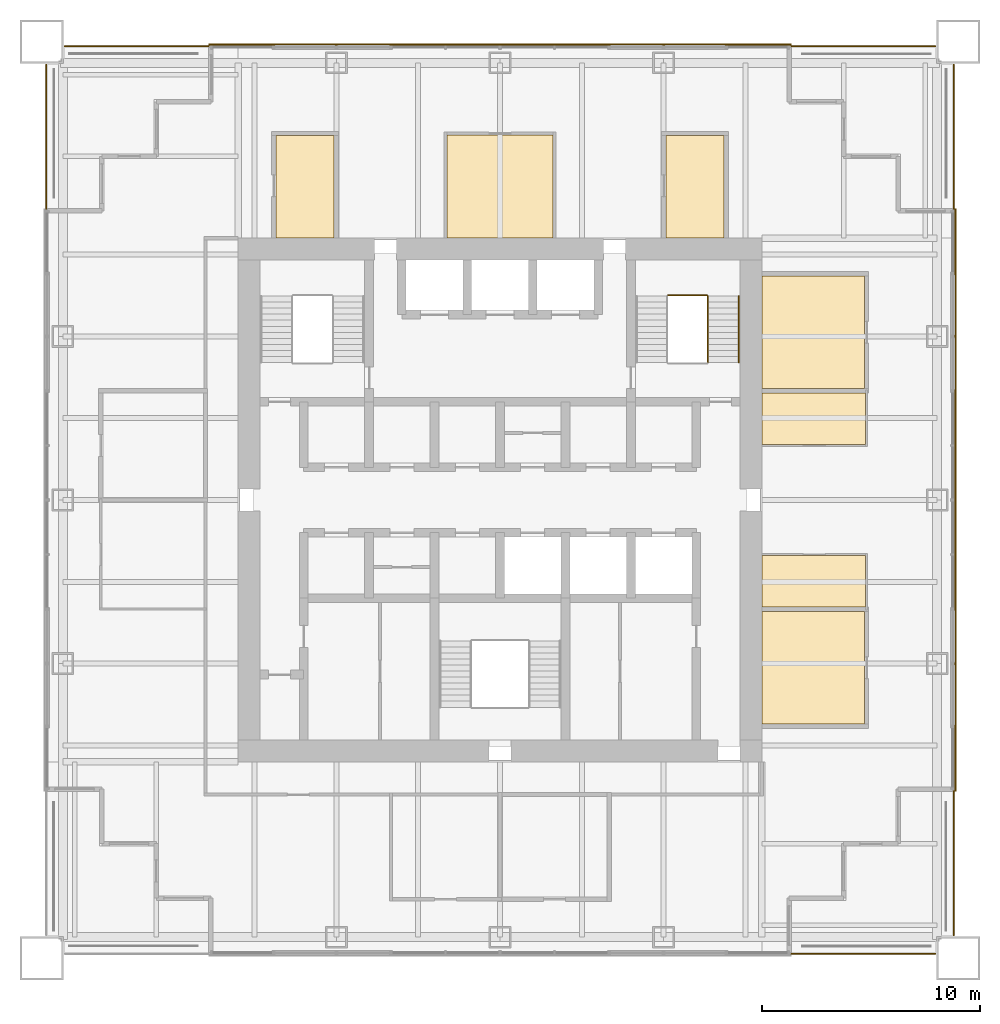
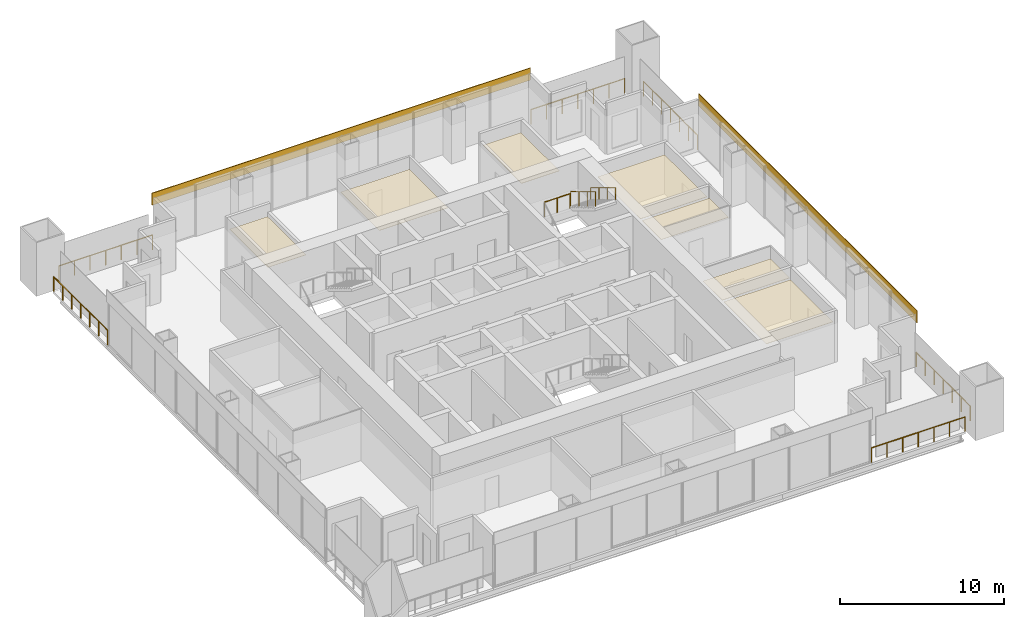
# One storey, part 14 of 14: 9 coverings, 9 railings.
"""IFC4 building model written with IfcOpenShell, lengths in metres."""

from ifc_helpers import new_model, si_unit, direction, frame, origin, origin_2d, place, context, subcontext, project, spatial, polyline, rectangle, circle, outline, extrude, material, layer, layer_set, type_object, element, save


model = new_model("IFC4")

# Units and contexts
model_context = context("Model", 3, precision=1e-05, world=origin(), true_north=direction((0.0, 1.0)))
body_context = subcontext(model_context, "Body", "Model", "MODEL_VIEW")
ifc_project = project(units=[si_unit("LENGTHUNIT", "METRE"), si_unit("AREAUNIT", "SQUARE_METRE"), si_unit("VOLUMEUNIT", "CUBIC_METRE"), si_unit("PLANEANGLEUNIT", "RADIAN"), si_unit("MASSUNIT", "GRAM", prefix="KILO")], contexts=[model_context])

# Site, building, storey
site_placement = place(None, origin())
site = spatial("IfcSite", under=ifc_project, at=site_placement, CompositionType="ELEMENT")
building_placement = place(site_placement, origin())
building = spatial("IfcBuilding", under=site, at=building_placement, Name="Tarangal Relay Tower", CompositionType="ELEMENT")
storey_placement = place(building_placement, frame((0.0, 0.0, 307.89990234375)))
storey = spatial("IfcBuildingStorey", under=building, at=storey_placement, Name="L68", CompositionType="ELEMENT", Elevation=307.89990234375)

# Coverings
ifc_material_1 = material(Name="Black anodised aluminium cladding", Category="aluminium")
ifc_layer_1 = layer(ifc_material_1, 0.050048828125)
ifc_layer_set_1 = layer_set([ifc_layer_1], Name="Black metal spandrel band")
covering_type_1 = type_object("IfcCoveringType", Name="Black metal spandrel band", PredefinedType="CLADDING", material=ifc_layer_set_1)
for number, where, z_axis, x_axis, name in (
    (1, (0.0, 20.875, 3.250244140625), (0.0, 0.0, 1.0), (1.0, 0.0, 0.0), "Spandrel band SB1 N L68"),
    (2, (20.875, 0.0, 3.250244140625), (0.0, 0.0, 1.0), (0.0, -1.0, 0.0), "Spandrel band SB1 E L68"),
):
    element("IfcCovering", number, at=place(storey_placement, frame(where, z_axis=z_axis, x_axis=x_axis)), inside=storey, type_object=covering_type_1, Name=name, PredefinedType="CLADDING", context=body_context, shape_type="SweptSolid", body=[
        extrude(rectangle(XDim=26.699951171875, YDim=0.050048828125, at=origin_2d()), origin(), (0.0, 0.0, 1.0), 0.89990234375),
    ])

# Railings
ifc_material_2 = material(Name="Steel guard, black finish", Category="steel")
railing_type_1 = type_object("IfcRailingType", Name="Stair guard 1100", PredefinedType="GUARDRAIL", material=ifc_material_2)
railing_1_placement = place(storey_placement, frame((9.530029296875, 9.346923828125, 2.166748046875)))
element("IfcRailing", 3, at=railing_1_placement, inside=storey, type_object=railing_type_1, Name="Stair ST-B guard GR1 L68 flight 2", PredefinedType="GUARDRAIL", context=body_context, shape_type="SweptSolid", body=[
    extrude(circle(Radius=0.02392578125, at=origin_2d()), frame((0.0, 0.0, 1.076171875), z_axis=(0.0, -0.85685617095, 0.515555527858), x_axis=(1.0, 0.0, 0.0)), (0.0, 0.0, 1.0), 3.555908203125),
    extrude(circle(Radius=0.02099609375, at=origin_2d()), origin(), (0.0, 0.0, 1.0), 1.052001953125),
    extrude(circle(Radius=0.02099609375, at=origin_2d()), frame((0.0, -1.015625, 0.611083984375)), (0.0, 0.0, 1.0), 1.052001953125),
    extrude(circle(Radius=0.02099609375, at=origin_2d()), frame((0.0, -2.03125, 1.22216796875)), (0.0, 0.0, 1.0), 1.052001953125),
    extrude(circle(Radius=0.02099609375, at=origin_2d()), frame((0.0, -3.046875, 1.833251953125)), (0.0, 0.0, 1.0), 1.052001953125),
])
railing_2_placement = place(storey_placement, frame((7.699951171875, 9.376953125, 2.0)))
element("IfcRailing", 4, at=railing_2_placement, inside=storey, type_object=railing_type_1, Name="Stair ST-B landing guard GR1 L68", PredefinedType="GUARDRAIL", context=body_context, shape_type="SweptSolid", body=[
    extrude(circle(Radius=0.02392578125, at=origin_2d()), frame((0.0, 0.0, 1.076171875), z_axis=(1.0, 0.0, 0.0), x_axis=(0.0, 1.0, 0.0)), (0.0, 0.0, 1.0), 1.800048828125),
    extrude(circle(Radius=0.02099609375, at=origin_2d()), origin(), (0.0, 0.0, 1.0), 1.052001953125),
    extrude(circle(Radius=0.02099609375, at=origin_2d()), frame((0.89990234375, 0.0, 0.0)), (0.0, 0.0, 1.0), 1.052001953125),
    extrude(circle(Radius=0.02099609375, at=origin_2d()), frame((1.800048828125, 0.0, 0.0)), (0.0, 0.0, 1.0), 1.052001953125),
])
ifc_material_3 = material(Name="Steel handrail, black finish", Category="steel")
railing_type_2 = type_object("IfcRailingType", Name="Stair handrail 900", PredefinedType="HANDRAIL", material=ifc_material_3)
railing_3_placement = place(storey_placement, frame((10.93994140625, 9.346923828125, 2.166748046875)))
element("IfcRailing", 5, at=railing_3_placement, inside=storey, type_object=railing_type_2, Name="Stair ST-B handrail HR1 L68 flight 2", PredefinedType="HANDRAIL", context=body_context, shape_type="SweptSolid", body=[
    extrude(circle(Radius=0.02392578125, at=origin_2d()), frame((0.0, 0.0, 0.8759765625), z_axis=(0.0, -0.85685617095, 0.515555527858), x_axis=(1.0, 0.0, 0.0)), (0.0, 0.0, 1.0), 3.555908203125),
    extrude(circle(Radius=0.02099609375, at=origin_2d()), origin(), (0.0, 0.0, 1.0), 0.851806640625),
    extrude(circle(Radius=0.02099609375, at=origin_2d()), frame((0.0, -1.015625, 0.611083984375)), (0.0, 0.0, 1.0), 0.851806640625),
    extrude(circle(Radius=0.02099609375, at=origin_2d()), frame((0.0, -2.03125, 1.22216796875)), (0.0, 0.0, 1.0), 0.851806640625),
    extrude(circle(Radius=0.02099609375, at=origin_2d()), frame((0.0, -3.046875, 1.833251953125)), (0.0, 0.0, 1.0), 0.851806640625),
])

# Coverings
ifc_material_4 = material(Name="Mineral fibre ceiling tiles", Category="gypsum")
ifc_layer_2 = layer(ifc_material_4, 0.02001953125)
ifc_layer_set_2 = layer_set([ifc_layer_2], Name="Suspended ceiling")
covering_type_2 = type_object("IfcCoveringType", Name="Suspended ceiling", PredefinedType="CEILING", material=ifc_layer_set_2)
covering_1_placement = place(storey_placement, frame((0.0, 0.0, 2.900146484375)))
element("IfcCovering", 6, at=covering_1_placement, inside=storey, type_object=covering_type_2, Name="Suspended ceiling CL1 L68-02", PredefinedType="CEILING", context=body_context, shape_type="SweptSolid", body=[
    extrude(outline(polyline([(-7.60009765625, 12.0), (-7.60009765625, 16.699951171875), (-10.27490234375, 16.699951171875), (-10.27490234375, 12.0), (-7.60009765625, 12.0)])), origin(), (0.0, 0.0, 1.0), 0.02001953125),
])
covering_2_placement = place(storey_placement, frame((0.0, 0.0, 2.900146484375)))
element("IfcCovering", 7, at=covering_2_placement, inside=storey, type_object=covering_type_2, Name="Suspended ceiling CL1 L68-03", PredefinedType="CEILING", context=body_context, shape_type="SweptSolid", body=[
    extrude(outline(polyline([(2.425048828125, 12.0), (2.425048828125, 16.72509765625), (-2.425048828125, 16.72509765625), (-2.425048828125, 12.0), (2.425048828125, 12.0)])), origin(), (0.0, 0.0, 1.0), 0.02001953125),
])
covering_3_placement = place(storey_placement, frame((0.0, 0.0, 2.900146484375)))
element("IfcCovering", 8, at=covering_3_placement, inside=storey, type_object=covering_type_2, Name="Suspended ceiling CL1 L68-04", PredefinedType="CEILING", context=body_context, shape_type="SweptSolid", body=[
    extrude(outline(polyline([(10.27490234375, 12.0), (10.27490234375, 16.699951171875), (7.60009765625, 16.699951171875), (7.60009765625, 12.0), (10.27490234375, 12.0)])), origin(), (0.0, 0.0, 1.0), 0.02001953125),
])
covering_4_placement = place(storey_placement, frame((0.0, 0.0, 2.900146484375)))
element("IfcCovering", 9, at=covering_4_placement, inside=storey, type_object=covering_type_2, Name="Suspended ceiling CL1 L68-05", PredefinedType="CEILING", context=body_context, shape_type="SweptSolid", body=[
    extrude(outline(polyline([(12.0, 5.10009765625), (16.699951171875, 5.10009765625), (16.699951171875, 10.27490234375), (12.0, 10.27490234375), (12.0, 5.10009765625)])), origin(), (0.0, 0.0, 1.0), 0.02001953125),
])
covering_5_placement = place(storey_placement, frame((0.0, 0.0, 2.900146484375)))
element("IfcCovering", 10, at=covering_5_placement, inside=storey, type_object=covering_type_2, Name="Suspended ceiling CL1 L68-06", PredefinedType="CEILING", context=body_context, shape_type="SweptSolid", body=[
    extrude(outline(polyline([(12.0, 2.550048828125), (16.75, 2.550048828125), (16.75, 4.89990234375), (12.0, 4.89990234375), (12.0, 2.550048828125)])), origin(), (0.0, 0.0, 1.0), 0.02001953125),
])
covering_6_placement = place(storey_placement, frame((0.0, 0.0, 2.900146484375)))
element("IfcCovering", 11, at=covering_6_placement, inside=storey, type_object=covering_type_2, Name="Suspended ceiling CL1 L68-07", PredefinedType="CEILING", context=body_context, shape_type="SweptSolid", body=[
    extrude(outline(polyline([(12.0, -4.89990234375), (16.75, -4.89990234375), (16.75, -2.550048828125), (12.0, -2.550048828125), (12.0, -4.89990234375)])), origin(), (0.0, 0.0, 1.0), 0.02001953125),
])
covering_7_placement = place(storey_placement, frame((0.0, 0.0, 2.900146484375)))
element("IfcCovering", 12, at=covering_7_placement, inside=storey, type_object=covering_type_2, Name="Suspended ceiling CL1 L68-08", PredefinedType="CEILING", context=body_context, shape_type="SweptSolid", body=[
    extrude(outline(polyline([(12.0, -10.27490234375), (16.699951171875, -10.27490234375), (16.699951171875, -5.10009765625), (12.0, -5.10009765625), (12.0, -10.27490234375)])), origin(), (0.0, 0.0, 1.0), 0.02001953125),
])

# Railings
ifc_material_5 = material(Name="Black steel guard with glass infill", Category="steel")
railing_type_3 = type_object("IfcRailingType", Name="Terrace guard 1100", PredefinedType="GUARDRAIL", material=ifc_material_5)
railing_4_placement = place(storey_placement, frame((13.35009765625, 20.800048828125, 0.0)))
element("IfcRailing", 13, at=railing_4_placement, inside=storey, type_object=railing_type_3, Name="Terrace guard GR2 NE L68", PredefinedType="GUARDRAIL", context=body_context, shape_type="SweptSolid", body=[
    extrude(circle(Radius=0.02392578125, at=origin_2d()), frame((0.0, 0.0, 1.076171875), z_axis=(1.0, 0.0, 0.0), x_axis=(0.0, 1.0, 0.0)), (0.0, 0.0, 1.0), 6.599853515625),
    extrude(circle(Radius=0.02099609375, at=origin_2d()), origin(), (0.0, 0.0, 1.0), 1.052001953125),
    extrude(circle(Radius=0.02099609375, at=origin_2d()), frame((1.10009765625, 0.0, 0.0)), (0.0, 0.0, 1.0), 1.052001953125),
    extrude(circle(Radius=0.02099609375, at=origin_2d()), frame((2.199951171875, 0.0, 0.0)), (0.0, 0.0, 1.0), 1.052001953125),
    extrude(circle(Radius=0.02099609375, at=origin_2d()), frame((3.2998046875, 0.0, 0.0)), (0.0, 0.0, 1.0), 1.052001953125),
    extrude(circle(Radius=0.02099609375, at=origin_2d()), frame((4.39990234375, 0.0, 0.0)), (0.0, 0.0, 1.0), 1.052001953125),
    extrude(circle(Radius=0.02099609375, at=origin_2d()), frame((5.5, 0.0, 0.0)), (0.0, 0.0, 1.0), 1.052001953125),
    extrude(circle(Radius=0.02099609375, at=origin_2d()), frame((6.599853515625, 0.0, 0.0)), (0.0, 0.0, 1.0), 1.052001953125),
])
for number, where, name in (
    (14, (20.800048828125, 19.949951171875, 0.0), "Terrace guard GR2 NE L68"),
    (15, (20.800048828125, -13.35009765625, 0.0), "Terrace guard GR2 SE L68"),
):
    element("IfcRailing", number, at=place(storey_placement, frame(where)), inside=storey, type_object=railing_type_3, Name=name, PredefinedType="GUARDRAIL", context=body_context, shape_type="SweptSolid", body=[
        extrude(circle(Radius=0.02392578125, at=origin_2d()), frame((0.0, 0.0, 1.076171875), z_axis=(0.0, -1.0, 0.0), x_axis=(1.0, 0.0, 0.0)), (0.0, 0.0, 1.0), 6.599853515625),
        extrude(circle(Radius=0.02099609375, at=origin_2d()), origin(), (0.0, 0.0, 1.0), 1.052001953125),
        extrude(circle(Radius=0.02099609375, at=origin_2d()), frame((0.0, -1.10009765625, 0.0)), (0.0, 0.0, 1.0), 1.052001953125),
        extrude(circle(Radius=0.02099609375, at=origin_2d()), frame((0.0, -2.199951171875, 0.0)), (0.0, 0.0, 1.0), 1.052001953125),
        extrude(circle(Radius=0.02099609375, at=origin_2d()), frame((0.0, -3.2998046875, 0.0)), (0.0, 0.0, 1.0), 1.052001953125),
        extrude(circle(Radius=0.02099609375, at=origin_2d()), frame((0.0, -4.39990234375, 0.0)), (0.0, 0.0, 1.0), 1.052001953125),
        extrude(circle(Radius=0.02099609375, at=origin_2d()), frame((0.0, -5.5, 0.0)), (0.0, 0.0, 1.0), 1.052001953125),
        extrude(circle(Radius=0.02099609375, at=origin_2d()), frame((0.0, -6.599853515625, 0.0)), (0.0, 0.0, 1.0), 1.052001953125),
    ])
railing_5_placement = place(storey_placement, frame((19.949951171875, -20.800048828125, 0.0)))
element("IfcRailing", 16, at=railing_5_placement, inside=storey, type_object=railing_type_3, Name="Terrace guard GR2 SE L68", PredefinedType="GUARDRAIL", context=body_context, shape_type="SweptSolid", body=[
    extrude(circle(Radius=0.02392578125, at=origin_2d()), frame((0.0, 0.0, 1.076171875), z_axis=(-1.0, 0.0, 0.0), x_axis=(0.0, -1.0, 0.0)), (0.0, 0.0, 1.0), 6.599853515625),
    extrude(circle(Radius=0.02099609375, at=origin_2d()), origin(), (0.0, 0.0, 1.0), 1.052001953125),
    extrude(circle(Radius=0.02099609375, at=origin_2d()), frame((-1.10009765625, 0.0, 0.0)), (0.0, 0.0, 1.0), 1.052001953125),
    extrude(circle(Radius=0.02099609375, at=origin_2d()), frame((-2.199951171875, 0.0, 0.0)), (0.0, 0.0, 1.0), 1.052001953125),
    extrude(circle(Radius=0.02099609375, at=origin_2d()), frame((-3.2998046875, 0.0, 0.0)), (0.0, 0.0, 1.0), 1.052001953125),
    extrude(circle(Radius=0.02099609375, at=origin_2d()), frame((-4.39990234375, 0.0, 0.0)), (0.0, 0.0, 1.0), 1.052001953125),
    extrude(circle(Radius=0.02099609375, at=origin_2d()), frame((-5.5, 0.0, 0.0)), (0.0, 0.0, 1.0), 1.052001953125),
    extrude(circle(Radius=0.02099609375, at=origin_2d()), frame((-6.599853515625, 0.0, 0.0)), (0.0, 0.0, 1.0), 1.052001953125),
])
railing_6_placement = place(storey_placement, frame((-20.800048828125, 13.35009765625, 0.0)))
element("IfcRailing", 17, at=railing_6_placement, inside=storey, type_object=railing_type_3, Name="Terrace guard GR2 NW L68", PredefinedType="GUARDRAIL", context=body_context, shape_type="SweptSolid", body=[
    extrude(circle(Radius=0.02392578125, at=origin_2d()), frame((0.0, 0.0, 1.076171875), z_axis=(0.0, 1.0, 0.0), x_axis=(-1.0, 0.0, 0.0)), (0.0, 0.0, 1.0), 6.599853515625),
    extrude(circle(Radius=0.02099609375, at=origin_2d()), origin(), (0.0, 0.0, 1.0), 1.052001953125),
    extrude(circle(Radius=0.02099609375, at=origin_2d()), frame((0.0, 1.10009765625, 0.0)), (0.0, 0.0, 1.0), 1.052001953125),
    extrude(circle(Radius=0.02099609375, at=origin_2d()), frame((0.0, 2.199951171875, 0.0)), (0.0, 0.0, 1.0), 1.052001953125),
    extrude(circle(Radius=0.02099609375, at=origin_2d()), frame((0.0, 3.2998046875, 0.0)), (0.0, 0.0, 1.0), 1.052001953125),
    extrude(circle(Radius=0.02099609375, at=origin_2d()), frame((0.0, 4.39990234375, 0.0)), (0.0, 0.0, 1.0), 1.052001953125),
    extrude(circle(Radius=0.02099609375, at=origin_2d()), frame((0.0, 5.5, 0.0)), (0.0, 0.0, 1.0), 1.052001953125),
    extrude(circle(Radius=0.02099609375, at=origin_2d()), frame((0.0, 6.599853515625, 0.0)), (0.0, 0.0, 1.0), 1.052001953125),
])
railing_7_placement = place(storey_placement, frame((-19.949951171875, 20.800048828125, 0.0)))
element("IfcRailing", 18, at=railing_7_placement, inside=storey, type_object=railing_type_3, Name="Terrace guard GR2 NW L68", PredefinedType="GUARDRAIL", context=body_context, shape_type="SweptSolid", body=[
    extrude(circle(Radius=0.02392578125, at=origin_2d()), frame((0.0, 0.0, 1.076171875), z_axis=(1.0, 0.0, 0.0), x_axis=(0.0, 1.0, 0.0)), (0.0, 0.0, 1.0), 6.599853515625),
    extrude(circle(Radius=0.02099609375, at=origin_2d()), origin(), (0.0, 0.0, 1.0), 1.052001953125),
    extrude(circle(Radius=0.02099609375, at=origin_2d()), frame((1.10009765625, 0.0, 0.0)), (0.0, 0.0, 1.0), 1.052001953125),
    extrude(circle(Radius=0.02099609375, at=origin_2d()), frame((2.199951171875, 0.0, 0.0)), (0.0, 0.0, 1.0), 1.052001953125),
    extrude(circle(Radius=0.02099609375, at=origin_2d()), frame((3.2998046875, 0.0, 0.0)), (0.0, 0.0, 1.0), 1.052001953125),
    extrude(circle(Radius=0.02099609375, at=origin_2d()), frame((4.39990234375, 0.0, 0.0)), (0.0, 0.0, 1.0), 1.052001953125),
    extrude(circle(Radius=0.02099609375, at=origin_2d()), frame((5.5, 0.0, 0.0)), (0.0, 0.0, 1.0), 1.052001953125),
    extrude(circle(Radius=0.02099609375, at=origin_2d()), frame((6.599853515625, 0.0, 0.0)), (0.0, 0.0, 1.0), 1.052001953125),
])

save(model, "model.ifc")
